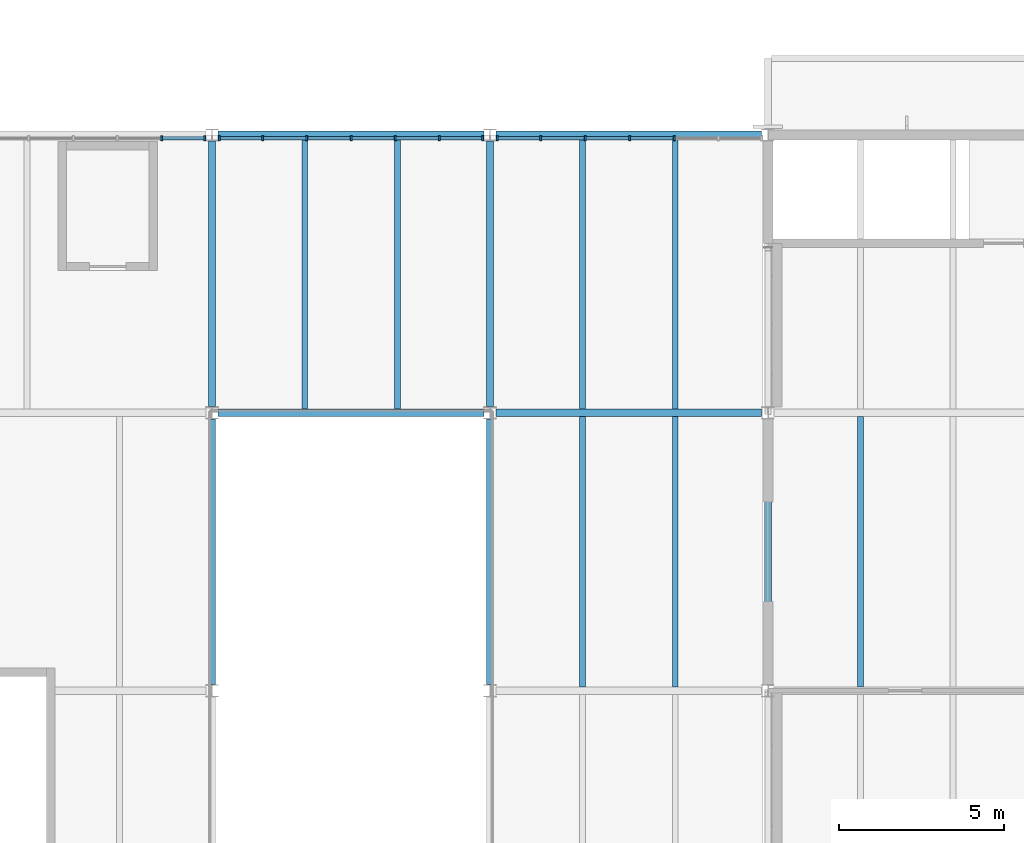
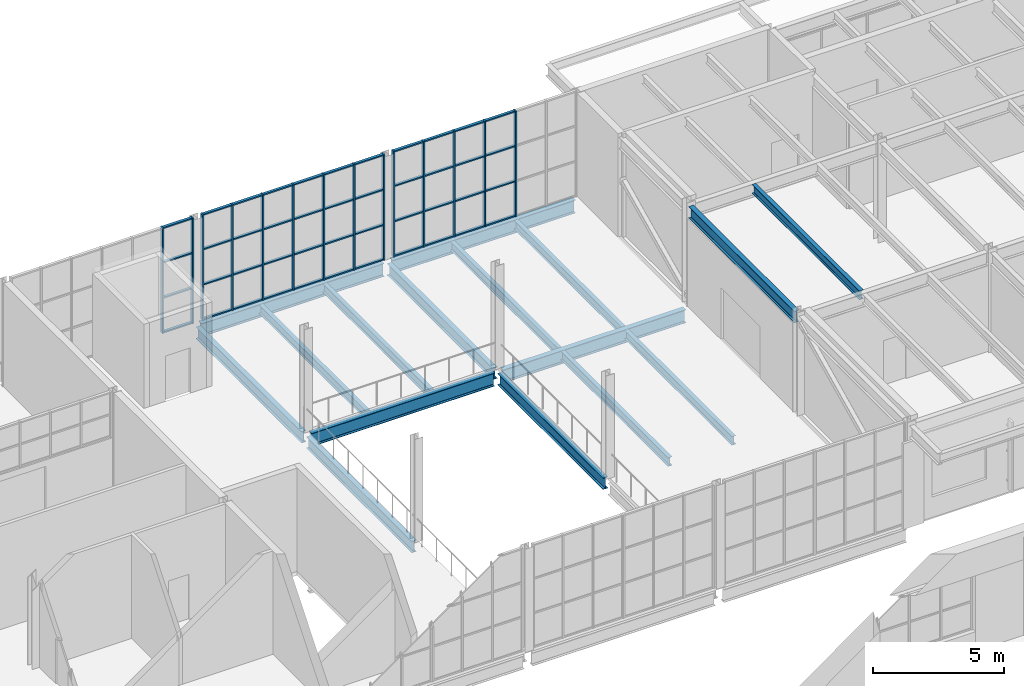
# One storey, part 43 of 116: 58 members, 16 beams, 3 elements without a shape of their own.
"""IFC4 building model written with IfcOpenShell, lengths in metres."""

from ifc_helpers import new_model, si_unit, direction, frame, origin, origin_2d, place, context, subcontext, project, spatial, rectangle, i_section, extrude, material, material_profile, profile_set, type_object, element, aggregate, save


model = new_model("IFC4")

# Units and contexts
model_context = context("Model", 3, precision=1e-05, world=origin(), true_north=direction((0.0, 1.0)))
body_context = subcontext(model_context, "Body", "Model", "MODEL_VIEW")
ifc_project = project(units=[si_unit("LENGTHUNIT", "METRE"), si_unit("AREAUNIT", "SQUARE_METRE"), si_unit("VOLUMEUNIT", "CUBIC_METRE"), si_unit("PLANEANGLEUNIT", "RADIAN"), si_unit("MASSUNIT", "GRAM", prefix="KILO")], contexts=[model_context])

# Site, building, storey
site_placement = place(None, origin())
site = spatial("IfcSite", under=ifc_project, at=site_placement, CompositionType="ELEMENT")
building_placement = place(site_placement, origin())
building = spatial("IfcBuilding", under=site, at=building_placement, Name="Ljudholm Concert House", CompositionType="ELEMENT")
storey_placement = place(building_placement, frame((0.0, 0.0, 10.199951171875)))
storey = spatial("IfcBuildingStorey", under=building, at=storey_placement, Name="L02", CompositionType="ELEMENT", Elevation=10.199951171875)

# Curtain wall, members
ifc_material_1 = material(Name="Aluminium curtain wall with impact-rated laminated glass", Category="aluminium")
curtain_wall_type = type_object("IfcCurtainWallType", Name="CURTAIN WALL 1400", PredefinedType="NOTDEFINED", material=ifc_material_1)
curtain_wall_1_placement = place(storey_placement, origin())
curtain_wall_1 = element("IfcCurtainWall", 1, at=curtain_wall_1_placement, inside=storey, type_object=curtain_wall_type, Name="North curtain wall", PredefinedType="NOTDEFINED")
ifc_material_2 = material(Name="Aluminium extrusion", Category="aluminium")
ifc_material_profile_1 = material_profile(ifc_material_2, rectangle(XDim=0.159912109375, YDim=0.06005859375, at=origin_2d()), Name="MULLION 60x160")
ifc_profile_set_1 = profile_set([ifc_material_profile_1], Name="Aluminium extrusion")
member_type_1 = type_object("IfcMemberType", Name="MULLION 60x160", PredefinedType="MULLION", material=ifc_profile_set_1)
member_1_placement = place(storey_placement, frame((36.0732421875, 129.89990234375, 0.0), z_axis=(0.0, 0.0, 1.0), x_axis=(0.0, 1.0, 0.0)))
member_1 = element("IfcMember", 2, at=member_1_placement, type_object=member_type_1, Name="Mullion", PredefinedType="MULLION", context=body_context, shape_type="SweptSolid", body=[
    extrude(rectangle(XDim=0.159912109375, YDim=0.06005859375, at=origin_2d()), origin(), (0.0, 0.0, 1.0), 4.9111328125),
])
member_2_placement = place(storey_placement, frame((37.3798828125, 129.89990234375, 0.0), z_axis=(0.0, 0.0, 1.0), x_axis=(0.0, 1.0, 0.0)))
member_2 = element("IfcMember", 3, at=member_2_placement, type_object=member_type_1, Name="Mullion", PredefinedType="MULLION", context=body_context, shape_type="SweptSolid", body=[
    extrude(rectangle(XDim=0.159912109375, YDim=0.06005859375, at=origin_2d()), origin(), (0.0, 0.0, 1.0), 4.9111328125),
])

curtain_wall_2_placement = place(storey_placement, origin())
curtain_wall_2 = element("IfcCurtainWall", 4, at=curtain_wall_2_placement, inside=storey, type_object=curtain_wall_type, Name="North curtain wall", PredefinedType="NOTDEFINED")
member_3_placement = place(storey_placement, frame((37.820068359375, 129.89990234375, 0.0), z_axis=(0.0, 0.0, 1.0), x_axis=(0.0, 1.0, 0.0)))
member_3 = element("IfcMember", 5, at=member_3_placement, type_object=member_type_1, Name="Mullion", PredefinedType="MULLION", context=body_context, shape_type="SweptSolid", body=[
    extrude(rectangle(XDim=0.159912109375, YDim=0.06005859375, at=origin_2d()), origin(), (0.0, 0.0, 1.0), 4.9111328125),
])
member_4_placement = place(storey_placement, frame((39.126708984375, 129.89990234375, 0.0), z_axis=(0.0, 0.0, 1.0), x_axis=(0.0, 1.0, 0.0)))
member_4 = element("IfcMember", 6, at=member_4_placement, type_object=member_type_1, Name="Mullion", PredefinedType="MULLION", context=body_context, shape_type="SweptSolid", body=[
    extrude(rectangle(XDim=0.159912109375, YDim=0.06005859375, at=origin_2d()), origin(), (0.0, 0.0, 1.0), 4.9111328125),
])
member_5_placement = place(storey_placement, frame((40.46337890625, 129.89990234375, 0.0), z_axis=(0.0, 0.0, 1.0), x_axis=(0.0, 1.0, 0.0)))
member_5 = element("IfcMember", 7, at=member_5_placement, type_object=member_type_1, Name="Mullion", PredefinedType="MULLION", context=body_context, shape_type="SweptSolid", body=[
    extrude(rectangle(XDim=0.159912109375, YDim=0.06005859375, at=origin_2d()), origin(), (0.0, 0.0, 1.0), 4.9111328125),
])
member_6_placement = place(storey_placement, frame((41.800048828125, 129.89990234375, 0.0), z_axis=(0.0, 0.0, 1.0), x_axis=(0.0, 1.0, 0.0)))
member_6 = element("IfcMember", 8, at=member_6_placement, type_object=member_type_1, Name="Mullion", PredefinedType="MULLION", context=body_context, shape_type="SweptSolid", body=[
    extrude(rectangle(XDim=0.159912109375, YDim=0.06005859375, at=origin_2d()), origin(), (0.0, 0.0, 1.0), 4.9111328125),
])
member_7_placement = place(storey_placement, frame((43.13671875, 129.89990234375, 0.0), z_axis=(0.0, 0.0, 1.0), x_axis=(0.0, 1.0, 0.0)))
member_7 = element("IfcMember", 9, at=member_7_placement, type_object=member_type_1, Name="Mullion", PredefinedType="MULLION", context=body_context, shape_type="SweptSolid", body=[
    extrude(rectangle(XDim=0.159912109375, YDim=0.06005859375, at=origin_2d()), origin(), (0.0, 0.0, 1.0), 4.9111328125),
])
member_8_placement = place(storey_placement, frame((44.473388671875, 129.89990234375, 0.0), z_axis=(0.0, 0.0, 1.0), x_axis=(0.0, 1.0, 0.0)))
member_8 = element("IfcMember", 10, at=member_8_placement, type_object=member_type_1, Name="Mullion", PredefinedType="MULLION", context=body_context, shape_type="SweptSolid", body=[
    extrude(rectangle(XDim=0.159912109375, YDim=0.06005859375, at=origin_2d()), origin(), (0.0, 0.0, 1.0), 4.9111328125),
])
member_9_placement = place(storey_placement, frame((45.780029296875, 129.89990234375, 0.0), z_axis=(0.0, 0.0, 1.0), x_axis=(0.0, 1.0, 0.0)))
member_9 = element("IfcMember", 11, at=member_9_placement, type_object=member_type_1, Name="Mullion", PredefinedType="MULLION", context=body_context, shape_type="SweptSolid", body=[
    extrude(rectangle(XDim=0.159912109375, YDim=0.06005859375, at=origin_2d()), origin(), (0.0, 0.0, 1.0), 4.9111328125),
])

curtain_wall_3_placement = place(storey_placement, origin())
curtain_wall_3 = element("IfcCurtainWall", 12, at=curtain_wall_3_placement, inside=storey, type_object=curtain_wall_type, Name="North curtain wall", PredefinedType="NOTDEFINED")
member_10_placement = place(storey_placement, frame((46.219970703125, 129.89990234375, 0.0), z_axis=(0.0, 0.0, 1.0), x_axis=(0.0, 1.0, 0.0)))
member_10 = element("IfcMember", 13, at=member_10_placement, type_object=member_type_1, Name="Mullion", PredefinedType="MULLION", context=body_context, shape_type="SweptSolid", body=[
    extrude(rectangle(XDim=0.159912109375, YDim=0.06005859375, at=origin_2d()), origin(), (0.0, 0.0, 1.0), 4.9111328125),
])
member_11_placement = place(storey_placement, frame((47.533447265625, 129.89990234375, 0.0), z_axis=(0.0, 0.0, 1.0), x_axis=(0.0, 1.0, 0.0)))
member_11 = element("IfcMember", 14, at=member_11_placement, type_object=member_type_1, Name="Mullion", PredefinedType="MULLION", context=body_context, shape_type="SweptSolid", body=[
    extrude(rectangle(XDim=0.159912109375, YDim=0.06005859375, at=origin_2d()), origin(), (0.0, 0.0, 1.0), 4.9111328125),
])
member_12_placement = place(storey_placement, frame((48.876708984375, 129.89990234375, 0.0), z_axis=(0.0, 0.0, 1.0), x_axis=(0.0, 1.0, 0.0)))
member_12 = element("IfcMember", 15, at=member_12_placement, type_object=member_type_1, Name="Mullion", PredefinedType="MULLION", context=body_context, shape_type="SweptSolid", body=[
    extrude(rectangle(XDim=0.159912109375, YDim=0.06005859375, at=origin_2d()), origin(), (0.0, 0.0, 1.0), 4.9111328125),
])
member_13_placement = place(storey_placement, frame((50.219970703125, 129.89990234375, 0.0), z_axis=(0.0, 0.0, 1.0), x_axis=(0.0, 1.0, 0.0)))
member_13 = element("IfcMember", 16, at=member_13_placement, type_object=member_type_1, Name="Mullion", PredefinedType="MULLION", context=body_context, shape_type="SweptSolid", body=[
    extrude(rectangle(XDim=0.159912109375, YDim=0.06005859375, at=origin_2d()), origin(), (0.0, 0.0, 1.0), 4.9111328125),
])
member_14_placement = place(storey_placement, frame((51.563232421875, 129.89990234375, 0.0), z_axis=(0.0, 0.0, 1.0), x_axis=(0.0, 1.0, 0.0)))
member_14 = element("IfcMember", 17, at=member_14_placement, type_object=member_type_1, Name="Mullion", PredefinedType="MULLION", context=body_context, shape_type="SweptSolid", body=[
    extrude(rectangle(XDim=0.159912109375, YDim=0.06005859375, at=origin_2d()), origin(), (0.0, 0.0, 1.0), 4.9111328125),
])

# Beams
ifc_material_3 = material(Name="Steel ASTM A992", Category="steel")
ifc_material_profile_2 = material_profile(ifc_material_3, i_section(OverallWidth=0.177734375, OverallDepth=0.406494140625, WebThickness=0.0078125, FlangeThickness=0.012939453125, FilletRadius=0.01025390625, at=origin_2d()), Name="W16X40")
ifc_profile_set_2 = profile_set([ifc_material_profile_2], Name="Steel ASTM A992")
beam_type_1 = type_object("IfcBeamType", Name="STEEL BEAM W16X40", PredefinedType="BEAM", material=ifc_profile_set_2)
for number, where, z_axis, x_axis, name in (
    (18, (57.199951171875, 113.314453125, 4.416748046875), (0.0, 1.0, 0.0), (-1.0, 0.0, 0.0), "Beam STUDIO-ROOF-sb-57.2-113.2"),
    (19, (48.800048828125, 113.314453125, -0.383056640625), (0.0, 1.0, 0.0), (-1.0, 0.0, 0.0), "Secondary beam"),
    (20, (48.800048828125, 121.714599609375, -0.383056640625), (0.0, 1.0, 0.0), (-1.0, 0.0, 0.0), "Secondary beam"),
    (21, (51.60009765625, 113.314453125, -0.383056640625), (0.0, 1.0, 0.0), (-1.0, 0.0, 0.0), "Secondary beam"),
    (22, (51.60009765625, 121.714599609375, -0.383056640625), (0.0, 1.0, 0.0), (-1.0, 0.0, 0.0), "Secondary beam"),
    (23, (40.39990234375, 121.714599609375, -0.383056640625), (0.0, 1.0, 0.0), (-1.0, 0.0, 0.0), "Secondary beam"),
    (24, (43.199951171875, 121.714599609375, -0.383056640625), (0.0, 1.0, 0.0), (-1.0, 0.0, 0.0), "Secondary beam"),
):
    element("IfcBeam", number, at=place(storey_placement, frame(where, z_axis=z_axis, x_axis=x_axis)), inside=storey, type_object=beam_type_1, Name=name, PredefinedType="BEAM", context=body_context, shape_type="SweptSolid", body=[
        extrude(i_section(OverallWidth=0.177734375, OverallDepth=0.406494140625, WebThickness=0.0078125, FlangeThickness=0.012939453125, FilletRadius=0.01025390625, at=origin_2d()), origin(), (0.0, 0.0, 1.0), 8.1708984375),
    ])
ifc_material_4 = material(Name="Steel ASTM A992", Category="steel")
ifc_material_profile_3 = material_profile(ifc_material_4, i_section(OverallWidth=0.209228515625, OverallDepth=0.533447265625, WebThickness=0.01025390625, FlangeThickness=0.015625, FilletRadius=0.012939453125, at=origin_2d()), Name="W21X62")
ifc_profile_set_3 = profile_set([ifc_material_profile_3], Name="Steel ASTM A992")
beam_type_2 = type_object("IfcBeamType", Name="STEEL BEAM W21X62", PredefinedType="BEAM", material=ifc_profile_set_3)
beam_placement = place(storey_placement, frame((54.39990234375, 113.377685546875, 4.353271484375), z_axis=(0.0, 1.0, 0.0), x_axis=(-1.0, 0.0, 0.0)))
element("IfcBeam", 25, at=beam_placement, inside=storey, type_object=beam_type_2, Name="Beam STUDIO-ROOF-gy-54.4-113.2", PredefinedType="BEAM", context=body_context, shape_type="SweptSolid", body=[
    extrude(i_section(OverallWidth=0.209228515625, OverallDepth=0.533447265625, WebThickness=0.01025390625, FlangeThickness=0.015625, FilletRadius=0.012939453125, at=origin_2d()), origin(), (0.0, 0.0, 1.0), 8.04443359375),
])
for number, where, z_axis, x_axis, name in (
    (26, (37.60009765625, 113.38671875, -0.446533203125), (0.0, 1.0, 0.0), (-1.0, 0.0, 0.0), "Floor edge beam"),
    (27, (37.60009765625, 121.78662109375, -0.446533203125), (0.0, 1.0, 0.0), (-1.0, 0.0, 0.0), "Floor edge beam"),
    (28, (46.0, 113.38671875, -0.446533203125), (0.0, 1.0, 0.0), (-1.0, 0.0, 0.0), "Floor edge beam"),
    (29, (46.0, 121.78662109375, -0.446533203125), (0.0, 1.0, 0.0), (-1.0, 0.0, 0.0), "Floor edge beam"),
):
    element("IfcBeam", number, at=place(storey_placement, frame(where, z_axis=z_axis, x_axis=x_axis)), inside=storey, type_object=beam_type_2, Name=name, PredefinedType="BEAM", context=body_context, shape_type="SweptSolid", body=[
        extrude(i_section(OverallWidth=0.209228515625, OverallDepth=0.533447265625, WebThickness=0.01025390625, FlangeThickness=0.015625, FilletRadius=0.012939453125, at=origin_2d()), origin(), (0.0, 0.0, 1.0), 8.026611328125),
    ])
ifc_material_5 = material(Name="Steel ASTM A992", Category="steel")
ifc_material_profile_4 = material_profile(ifc_material_5, i_section(OverallWidth=0.22900390625, OverallDepth=0.612060546875, WebThickness=0.011962890625, FlangeThickness=0.01953125, FilletRadius=0.0126953125, at=origin_2d()), Name="W24X84")
ifc_profile_set_4 = profile_set([ifc_material_profile_4], Name="Steel ASTM A992")
beam_type_3 = type_object("IfcBeamType", Name="STEEL BEAM W24X84", PredefinedType="BEAM", material=ifc_profile_set_4)
for number, where, z_axis, x_axis, name in (
    (30, (37.78662109375, 121.60009765625, -0.486083984375), (1.0, 0.0, 0.0), (0.0, 1.0, 0.0), "Floor girder"),
    (31, (46.186767578125, 121.60009765625, -0.486083984375), (1.0, 0.0, 0.0), (0.0, 1.0, 0.0), "Floor girder"),
    (32, (37.78662109375, 130.0, -0.486083984375), (1.0, 0.0, 0.0), (0.0, 1.0, 0.0), "Floor girder"),
    (33, (46.186767578125, 130.0, -0.486083984375), (1.0, 0.0, 0.0), (0.0, 1.0, 0.0), "Floor girder"),
):
    element("IfcBeam", number, at=place(storey_placement, frame(where, z_axis=z_axis, x_axis=x_axis)), inside=storey, type_object=beam_type_3, Name=name, PredefinedType="BEAM", context=body_context, shape_type="SweptSolid", body=[
        extrude(i_section(OverallWidth=0.22900390625, OverallDepth=0.612060546875, WebThickness=0.011962890625, FlangeThickness=0.01953125, FilletRadius=0.0126953125, at=origin_2d()), origin(), (0.0, 0.0, 1.0), 8.026611328125),
    ])

# Member
ifc_material_6 = material(Name="Aluminium extrusion", Category="aluminium")
ifc_material_profile_5 = material_profile(ifc_material_6, rectangle(XDim=0.1201171875, YDim=0.06005859375, at=origin_2d()), Name="TRANSOM 60x120")
ifc_profile_set_5 = profile_set([ifc_material_profile_5], Name="Aluminium extrusion")
member_type_2 = type_object("IfcMemberType", Name="TRANSOM 60x120", PredefinedType="USERDEFINED", material=ifc_profile_set_5)
member_15_placement = place(storey_placement, frame((36.103271484375, 129.89990234375, 0.030029296875), z_axis=(1.0, 0.0, 0.0), x_axis=(0.0, 1.0, 0.0)))
member_15 = element("IfcMember", 34, at=member_15_placement, type_object=member_type_2, Name="Transom", ObjectType="TRANSOM", PredefinedType="USERDEFINED", context=body_context, shape_type="SweptSolid", body=[
    extrude(rectangle(XDim=0.1201171875, YDim=0.06005859375, at=origin_2d()), origin(), (0.0, 0.0, 1.0), 1.246826171875),
])

member_16_placement = place(storey_placement, frame((36.103271484375, 129.89990234375, 1.636962890625), z_axis=(1.0, 0.0, 0.0), x_axis=(0.0, 1.0, 0.0)))
member_16 = element("IfcMember", 35, at=member_16_placement, type_object=member_type_2, Name="Transom", ObjectType="TRANSOM", PredefinedType="USERDEFINED", context=body_context, shape_type="SweptSolid", body=[
    extrude(rectangle(XDim=0.1201171875, YDim=0.06005859375, at=origin_2d()), origin(), (0.0, 0.0, 1.0), 1.246826171875),
])

member_17_placement = place(storey_placement, frame((36.103271484375, 129.89990234375, 3.274169921875), z_axis=(1.0, 0.0, 0.0), x_axis=(0.0, 1.0, 0.0)))
member_17 = element("IfcMember", 36, at=member_17_placement, type_object=member_type_2, Name="Transom", ObjectType="TRANSOM", PredefinedType="USERDEFINED", context=body_context, shape_type="SweptSolid", body=[
    extrude(rectangle(XDim=0.1201171875, YDim=0.06005859375, at=origin_2d()), origin(), (0.0, 0.0, 1.0), 1.246826171875),
])

member_18_placement = place(storey_placement, frame((36.103271484375, 129.89990234375, 4.881103515625), z_axis=(1.0, 0.0, 0.0), x_axis=(0.0, 1.0, 0.0)))
member_18 = element("IfcMember", 37, at=member_18_placement, type_object=member_type_2, Name="Transom", ObjectType="TRANSOM", PredefinedType="USERDEFINED", context=body_context, shape_type="SweptSolid", body=[
    extrude(rectangle(XDim=0.1201171875, YDim=0.06005859375, at=origin_2d()), origin(), (0.0, 0.0, 1.0), 1.246826171875),
])

aggregate(curtain_wall_1, [member_1, member_2, member_15, member_16, member_17, member_18])

member_19_placement = place(storey_placement, frame((37.85009765625, 129.89990234375, 0.030029296875), z_axis=(1.0, 0.0, 0.0), x_axis=(0.0, 1.0, 0.0)))
member_19 = element("IfcMember", 38, at=member_19_placement, type_object=member_type_2, Name="Transom", ObjectType="TRANSOM", PredefinedType="USERDEFINED", context=body_context, shape_type="SweptSolid", body=[
    extrude(rectangle(XDim=0.1201171875, YDim=0.06005859375, at=origin_2d()), origin(), (0.0, 0.0, 1.0), 1.24658203125),
])

member_20_placement = place(storey_placement, frame((37.85009765625, 129.89990234375, 1.636962890625), z_axis=(1.0, 0.0, 0.0), x_axis=(0.0, 1.0, 0.0)))
member_20 = element("IfcMember", 39, at=member_20_placement, type_object=member_type_2, Name="Transom", ObjectType="TRANSOM", PredefinedType="USERDEFINED", context=body_context, shape_type="SweptSolid", body=[
    extrude(rectangle(XDim=0.1201171875, YDim=0.06005859375, at=origin_2d()), origin(), (0.0, 0.0, 1.0), 1.24658203125),
])

member_21_placement = place(storey_placement, frame((37.85009765625, 129.89990234375, 3.274169921875), z_axis=(1.0, 0.0, 0.0), x_axis=(0.0, 1.0, 0.0)))
member_21 = element("IfcMember", 40, at=member_21_placement, type_object=member_type_2, Name="Transom", ObjectType="TRANSOM", PredefinedType="USERDEFINED", context=body_context, shape_type="SweptSolid", body=[
    extrude(rectangle(XDim=0.1201171875, YDim=0.06005859375, at=origin_2d()), origin(), (0.0, 0.0, 1.0), 1.24658203125),
])

member_22_placement = place(storey_placement, frame((37.85009765625, 129.89990234375, 4.881103515625), z_axis=(1.0, 0.0, 0.0), x_axis=(0.0, 1.0, 0.0)))
member_22 = element("IfcMember", 41, at=member_22_placement, type_object=member_type_2, Name="Transom", ObjectType="TRANSOM", PredefinedType="USERDEFINED", context=body_context, shape_type="SweptSolid", body=[
    extrude(rectangle(XDim=0.1201171875, YDim=0.06005859375, at=origin_2d()), origin(), (0.0, 0.0, 1.0), 1.24658203125),
])

member_23_placement = place(storey_placement, frame((39.15673828125, 129.89990234375, 0.030029296875), z_axis=(1.0, 0.0, 0.0), x_axis=(0.0, 1.0, 0.0)))
member_23 = element("IfcMember", 42, at=member_23_placement, type_object=member_type_2, Name="Transom", ObjectType="TRANSOM", PredefinedType="USERDEFINED", context=body_context, shape_type="SweptSolid", body=[
    extrude(rectangle(XDim=0.1201171875, YDim=0.06005859375, at=origin_2d()), origin(), (0.0, 0.0, 1.0), 1.276611328125),
])

member_24_placement = place(storey_placement, frame((39.15673828125, 129.89990234375, 1.636962890625), z_axis=(1.0, 0.0, 0.0), x_axis=(0.0, 1.0, 0.0)))
member_24 = element("IfcMember", 43, at=member_24_placement, type_object=member_type_2, Name="Transom", ObjectType="TRANSOM", PredefinedType="USERDEFINED", context=body_context, shape_type="SweptSolid", body=[
    extrude(rectangle(XDim=0.1201171875, YDim=0.06005859375, at=origin_2d()), origin(), (0.0, 0.0, 1.0), 1.276611328125),
])

member_25_placement = place(storey_placement, frame((39.15673828125, 129.89990234375, 3.274169921875), z_axis=(1.0, 0.0, 0.0), x_axis=(0.0, 1.0, 0.0)))
member_25 = element("IfcMember", 44, at=member_25_placement, type_object=member_type_2, Name="Transom", ObjectType="TRANSOM", PredefinedType="USERDEFINED", context=body_context, shape_type="SweptSolid", body=[
    extrude(rectangle(XDim=0.1201171875, YDim=0.06005859375, at=origin_2d()), origin(), (0.0, 0.0, 1.0), 1.276611328125),
])

member_26_placement = place(storey_placement, frame((39.15673828125, 129.89990234375, 4.881103515625), z_axis=(1.0, 0.0, 0.0), x_axis=(0.0, 1.0, 0.0)))
member_26 = element("IfcMember", 45, at=member_26_placement, type_object=member_type_2, Name="Transom", ObjectType="TRANSOM", PredefinedType="USERDEFINED", context=body_context, shape_type="SweptSolid", body=[
    extrude(rectangle(XDim=0.1201171875, YDim=0.06005859375, at=origin_2d()), origin(), (0.0, 0.0, 1.0), 1.276611328125),
])

member_27_placement = place(storey_placement, frame((40.493408203125, 129.89990234375, 0.030029296875), z_axis=(1.0, 0.0, 0.0), x_axis=(0.0, 1.0, 0.0)))
member_27 = element("IfcMember", 46, at=member_27_placement, type_object=member_type_2, Name="Transom", ObjectType="TRANSOM", PredefinedType="USERDEFINED", context=body_context, shape_type="SweptSolid", body=[
    extrude(rectangle(XDim=0.1201171875, YDim=0.06005859375, at=origin_2d()), origin(), (0.0, 0.0, 1.0), 1.276611328125),
])

member_28_placement = place(storey_placement, frame((40.493408203125, 129.89990234375, 1.636962890625), z_axis=(1.0, 0.0, 0.0), x_axis=(0.0, 1.0, 0.0)))
member_28 = element("IfcMember", 47, at=member_28_placement, type_object=member_type_2, Name="Transom", ObjectType="TRANSOM", PredefinedType="USERDEFINED", context=body_context, shape_type="SweptSolid", body=[
    extrude(rectangle(XDim=0.1201171875, YDim=0.06005859375, at=origin_2d()), origin(), (0.0, 0.0, 1.0), 1.276611328125),
])

member_29_placement = place(storey_placement, frame((40.493408203125, 129.89990234375, 3.274169921875), z_axis=(1.0, 0.0, 0.0), x_axis=(0.0, 1.0, 0.0)))
member_29 = element("IfcMember", 48, at=member_29_placement, type_object=member_type_2, Name="Transom", ObjectType="TRANSOM", PredefinedType="USERDEFINED", context=body_context, shape_type="SweptSolid", body=[
    extrude(rectangle(XDim=0.1201171875, YDim=0.06005859375, at=origin_2d()), origin(), (0.0, 0.0, 1.0), 1.276611328125),
])

member_30_placement = place(storey_placement, frame((40.493408203125, 129.89990234375, 4.881103515625), z_axis=(1.0, 0.0, 0.0), x_axis=(0.0, 1.0, 0.0)))
member_30 = element("IfcMember", 49, at=member_30_placement, type_object=member_type_2, Name="Transom", ObjectType="TRANSOM", PredefinedType="USERDEFINED", context=body_context, shape_type="SweptSolid", body=[
    extrude(rectangle(XDim=0.1201171875, YDim=0.06005859375, at=origin_2d()), origin(), (0.0, 0.0, 1.0), 1.276611328125),
])

member_31_placement = place(storey_placement, frame((41.830078125, 129.89990234375, 0.030029296875), z_axis=(1.0, 0.0, 0.0), x_axis=(0.0, 1.0, 0.0)))
member_31 = element("IfcMember", 50, at=member_31_placement, type_object=member_type_2, Name="Transom", ObjectType="TRANSOM", PredefinedType="USERDEFINED", context=body_context, shape_type="SweptSolid", body=[
    extrude(rectangle(XDim=0.1201171875, YDim=0.06005859375, at=origin_2d()), origin(), (0.0, 0.0, 1.0), 1.276611328125),
])

member_32_placement = place(storey_placement, frame((41.830078125, 129.89990234375, 1.636962890625), z_axis=(1.0, 0.0, 0.0), x_axis=(0.0, 1.0, 0.0)))
member_32 = element("IfcMember", 51, at=member_32_placement, type_object=member_type_2, Name="Transom", ObjectType="TRANSOM", PredefinedType="USERDEFINED", context=body_context, shape_type="SweptSolid", body=[
    extrude(rectangle(XDim=0.1201171875, YDim=0.06005859375, at=origin_2d()), origin(), (0.0, 0.0, 1.0), 1.276611328125),
])

member_33_placement = place(storey_placement, frame((41.830078125, 129.89990234375, 3.274169921875), z_axis=(1.0, 0.0, 0.0), x_axis=(0.0, 1.0, 0.0)))
member_33 = element("IfcMember", 52, at=member_33_placement, type_object=member_type_2, Name="Transom", ObjectType="TRANSOM", PredefinedType="USERDEFINED", context=body_context, shape_type="SweptSolid", body=[
    extrude(rectangle(XDim=0.1201171875, YDim=0.06005859375, at=origin_2d()), origin(), (0.0, 0.0, 1.0), 1.276611328125),
])

member_34_placement = place(storey_placement, frame((41.830078125, 129.89990234375, 4.881103515625), z_axis=(1.0, 0.0, 0.0), x_axis=(0.0, 1.0, 0.0)))
member_34 = element("IfcMember", 53, at=member_34_placement, type_object=member_type_2, Name="Transom", ObjectType="TRANSOM", PredefinedType="USERDEFINED", context=body_context, shape_type="SweptSolid", body=[
    extrude(rectangle(XDim=0.1201171875, YDim=0.06005859375, at=origin_2d()), origin(), (0.0, 0.0, 1.0), 1.276611328125),
])

member_35_placement = place(storey_placement, frame((43.166748046875, 129.89990234375, 0.030029296875), z_axis=(1.0, 0.0, 0.0), x_axis=(0.0, 1.0, 0.0)))
member_35 = element("IfcMember", 54, at=member_35_placement, type_object=member_type_2, Name="Transom", ObjectType="TRANSOM", PredefinedType="USERDEFINED", context=body_context, shape_type="SweptSolid", body=[
    extrude(rectangle(XDim=0.1201171875, YDim=0.06005859375, at=origin_2d()), origin(), (0.0, 0.0, 1.0), 1.276611328125),
])

member_36_placement = place(storey_placement, frame((43.166748046875, 129.89990234375, 1.636962890625), z_axis=(1.0, 0.0, 0.0), x_axis=(0.0, 1.0, 0.0)))
member_36 = element("IfcMember", 55, at=member_36_placement, type_object=member_type_2, Name="Transom", ObjectType="TRANSOM", PredefinedType="USERDEFINED", context=body_context, shape_type="SweptSolid", body=[
    extrude(rectangle(XDim=0.1201171875, YDim=0.06005859375, at=origin_2d()), origin(), (0.0, 0.0, 1.0), 1.276611328125),
])

member_37_placement = place(storey_placement, frame((43.166748046875, 129.89990234375, 3.274169921875), z_axis=(1.0, 0.0, 0.0), x_axis=(0.0, 1.0, 0.0)))
member_37 = element("IfcMember", 56, at=member_37_placement, type_object=member_type_2, Name="Transom", ObjectType="TRANSOM", PredefinedType="USERDEFINED", context=body_context, shape_type="SweptSolid", body=[
    extrude(rectangle(XDim=0.1201171875, YDim=0.06005859375, at=origin_2d()), origin(), (0.0, 0.0, 1.0), 1.276611328125),
])

member_38_placement = place(storey_placement, frame((43.166748046875, 129.89990234375, 4.881103515625), z_axis=(1.0, 0.0, 0.0), x_axis=(0.0, 1.0, 0.0)))
member_38 = element("IfcMember", 57, at=member_38_placement, type_object=member_type_2, Name="Transom", ObjectType="TRANSOM", PredefinedType="USERDEFINED", context=body_context, shape_type="SweptSolid", body=[
    extrude(rectangle(XDim=0.1201171875, YDim=0.06005859375, at=origin_2d()), origin(), (0.0, 0.0, 1.0), 1.276611328125),
])

member_39_placement = place(storey_placement, frame((44.50341796875, 129.89990234375, 0.030029296875), z_axis=(1.0, 0.0, 0.0), x_axis=(0.0, 1.0, 0.0)))
member_39 = element("IfcMember", 58, at=member_39_placement, type_object=member_type_2, Name="Transom", ObjectType="TRANSOM", PredefinedType="USERDEFINED", context=body_context, shape_type="SweptSolid", body=[
    extrude(rectangle(XDim=0.1201171875, YDim=0.06005859375, at=origin_2d()), origin(), (0.0, 0.0, 1.0), 1.24658203125),
])

member_40_placement = place(storey_placement, frame((44.50341796875, 129.89990234375, 1.636962890625), z_axis=(1.0, 0.0, 0.0), x_axis=(0.0, 1.0, 0.0)))
member_40 = element("IfcMember", 59, at=member_40_placement, type_object=member_type_2, Name="Transom", ObjectType="TRANSOM", PredefinedType="USERDEFINED", context=body_context, shape_type="SweptSolid", body=[
    extrude(rectangle(XDim=0.1201171875, YDim=0.06005859375, at=origin_2d()), origin(), (0.0, 0.0, 1.0), 1.24658203125),
])

member_41_placement = place(storey_placement, frame((44.50341796875, 129.89990234375, 3.274169921875), z_axis=(1.0, 0.0, 0.0), x_axis=(0.0, 1.0, 0.0)))
member_41 = element("IfcMember", 60, at=member_41_placement, type_object=member_type_2, Name="Transom", ObjectType="TRANSOM", PredefinedType="USERDEFINED", context=body_context, shape_type="SweptSolid", body=[
    extrude(rectangle(XDim=0.1201171875, YDim=0.06005859375, at=origin_2d()), origin(), (0.0, 0.0, 1.0), 1.24658203125),
])

member_42_placement = place(storey_placement, frame((44.50341796875, 129.89990234375, 4.881103515625), z_axis=(1.0, 0.0, 0.0), x_axis=(0.0, 1.0, 0.0)))
member_42 = element("IfcMember", 61, at=member_42_placement, type_object=member_type_2, Name="Transom", ObjectType="TRANSOM", PredefinedType="USERDEFINED", context=body_context, shape_type="SweptSolid", body=[
    extrude(rectangle(XDim=0.1201171875, YDim=0.06005859375, at=origin_2d()), origin(), (0.0, 0.0, 1.0), 1.24658203125),
])

aggregate(curtain_wall_2, [member_3, member_4, member_5, member_6, member_7, member_8, member_9, member_19, member_20, member_21, member_22, member_23, member_24, member_25, member_26, member_27, member_28, member_29, member_30, member_31, member_32, member_33, member_34, member_35, member_36, member_37, member_38, member_39, member_40, member_41, member_42])

member_43_placement = place(storey_placement, frame((46.25, 129.89990234375, 0.030029296875), z_axis=(1.0, 0.0, 0.0), x_axis=(0.0, 1.0, 0.0)))
member_43 = element("IfcMember", 62, at=member_43_placement, type_object=member_type_2, Name="Transom", ObjectType="TRANSOM", PredefinedType="USERDEFINED", context=body_context, shape_type="SweptSolid", body=[
    extrude(rectangle(XDim=0.1201171875, YDim=0.06005859375, at=origin_2d()), origin(), (0.0, 0.0, 1.0), 1.25341796875),
])

member_44_placement = place(storey_placement, frame((46.25, 129.89990234375, 1.636962890625), z_axis=(1.0, 0.0, 0.0), x_axis=(0.0, 1.0, 0.0)))
member_44 = element("IfcMember", 63, at=member_44_placement, type_object=member_type_2, Name="Transom", ObjectType="TRANSOM", PredefinedType="USERDEFINED", context=body_context, shape_type="SweptSolid", body=[
    extrude(rectangle(XDim=0.1201171875, YDim=0.06005859375, at=origin_2d()), origin(), (0.0, 0.0, 1.0), 1.25341796875),
])

member_45_placement = place(storey_placement, frame((46.25, 129.89990234375, 3.274169921875), z_axis=(1.0, 0.0, 0.0), x_axis=(0.0, 1.0, 0.0)))
member_45 = element("IfcMember", 64, at=member_45_placement, type_object=member_type_2, Name="Transom", ObjectType="TRANSOM", PredefinedType="USERDEFINED", context=body_context, shape_type="SweptSolid", body=[
    extrude(rectangle(XDim=0.1201171875, YDim=0.06005859375, at=origin_2d()), origin(), (0.0, 0.0, 1.0), 1.25341796875),
])

member_46_placement = place(storey_placement, frame((46.25, 129.89990234375, 4.881103515625), z_axis=(1.0, 0.0, 0.0), x_axis=(0.0, 1.0, 0.0)))
member_46 = element("IfcMember", 65, at=member_46_placement, type_object=member_type_2, Name="Transom", ObjectType="TRANSOM", PredefinedType="USERDEFINED", context=body_context, shape_type="SweptSolid", body=[
    extrude(rectangle(XDim=0.1201171875, YDim=0.06005859375, at=origin_2d()), origin(), (0.0, 0.0, 1.0), 1.25341796875),
])

member_47_placement = place(storey_placement, frame((47.563232421875, 129.89990234375, 0.030029296875), z_axis=(1.0, 0.0, 0.0), x_axis=(0.0, 1.0, 0.0)))
member_47 = element("IfcMember", 66, at=member_47_placement, type_object=member_type_2, Name="Transom", ObjectType="TRANSOM", PredefinedType="USERDEFINED", context=body_context, shape_type="SweptSolid", body=[
    extrude(rectangle(XDim=0.1201171875, YDim=0.06005859375, at=origin_2d()), origin(), (0.0, 0.0, 1.0), 1.283447265625),
])

member_48_placement = place(storey_placement, frame((47.563232421875, 129.89990234375, 1.636962890625), z_axis=(1.0, 0.0, 0.0), x_axis=(0.0, 1.0, 0.0)))
member_48 = element("IfcMember", 67, at=member_48_placement, type_object=member_type_2, Name="Transom", ObjectType="TRANSOM", PredefinedType="USERDEFINED", context=body_context, shape_type="SweptSolid", body=[
    extrude(rectangle(XDim=0.1201171875, YDim=0.06005859375, at=origin_2d()), origin(), (0.0, 0.0, 1.0), 1.283447265625),
])

member_49_placement = place(storey_placement, frame((47.563232421875, 129.89990234375, 3.274169921875), z_axis=(1.0, 0.0, 0.0), x_axis=(0.0, 1.0, 0.0)))
member_49 = element("IfcMember", 68, at=member_49_placement, type_object=member_type_2, Name="Transom", ObjectType="TRANSOM", PredefinedType="USERDEFINED", context=body_context, shape_type="SweptSolid", body=[
    extrude(rectangle(XDim=0.1201171875, YDim=0.06005859375, at=origin_2d()), origin(), (0.0, 0.0, 1.0), 1.283447265625),
])

member_50_placement = place(storey_placement, frame((47.563232421875, 129.89990234375, 4.881103515625), z_axis=(1.0, 0.0, 0.0), x_axis=(0.0, 1.0, 0.0)))
member_50 = element("IfcMember", 69, at=member_50_placement, type_object=member_type_2, Name="Transom", ObjectType="TRANSOM", PredefinedType="USERDEFINED", context=body_context, shape_type="SweptSolid", body=[
    extrude(rectangle(XDim=0.1201171875, YDim=0.06005859375, at=origin_2d()), origin(), (0.0, 0.0, 1.0), 1.283447265625),
])

member_51_placement = place(storey_placement, frame((48.90673828125, 129.89990234375, 0.030029296875), z_axis=(1.0, 0.0, 0.0), x_axis=(0.0, 1.0, 0.0)))
member_51 = element("IfcMember", 70, at=member_51_placement, type_object=member_type_2, Name="Transom", ObjectType="TRANSOM", PredefinedType="USERDEFINED", context=body_context, shape_type="SweptSolid", body=[
    extrude(rectangle(XDim=0.1201171875, YDim=0.06005859375, at=origin_2d()), origin(), (0.0, 0.0, 1.0), 1.283203125),
])

member_52_placement = place(storey_placement, frame((48.90673828125, 129.89990234375, 1.636962890625), z_axis=(1.0, 0.0, 0.0), x_axis=(0.0, 1.0, 0.0)))
member_52 = element("IfcMember", 71, at=member_52_placement, type_object=member_type_2, Name="Transom", ObjectType="TRANSOM", PredefinedType="USERDEFINED", context=body_context, shape_type="SweptSolid", body=[
    extrude(rectangle(XDim=0.1201171875, YDim=0.06005859375, at=origin_2d()), origin(), (0.0, 0.0, 1.0), 1.283203125),
])

member_53_placement = place(storey_placement, frame((48.90673828125, 129.89990234375, 3.274169921875), z_axis=(1.0, 0.0, 0.0), x_axis=(0.0, 1.0, 0.0)))
member_53 = element("IfcMember", 72, at=member_53_placement, type_object=member_type_2, Name="Transom", ObjectType="TRANSOM", PredefinedType="USERDEFINED", context=body_context, shape_type="SweptSolid", body=[
    extrude(rectangle(XDim=0.1201171875, YDim=0.06005859375, at=origin_2d()), origin(), (0.0, 0.0, 1.0), 1.283203125),
])

member_54_placement = place(storey_placement, frame((48.90673828125, 129.89990234375, 4.881103515625), z_axis=(1.0, 0.0, 0.0), x_axis=(0.0, 1.0, 0.0)))
member_54 = element("IfcMember", 73, at=member_54_placement, type_object=member_type_2, Name="Transom", ObjectType="TRANSOM", PredefinedType="USERDEFINED", context=body_context, shape_type="SweptSolid", body=[
    extrude(rectangle(XDim=0.1201171875, YDim=0.06005859375, at=origin_2d()), origin(), (0.0, 0.0, 1.0), 1.283203125),
])

member_55_placement = place(storey_placement, frame((50.25, 129.89990234375, 0.030029296875), z_axis=(1.0, 0.0, 0.0), x_axis=(0.0, 1.0, 0.0)))
member_55 = element("IfcMember", 74, at=member_55_placement, type_object=member_type_2, Name="Transom", ObjectType="TRANSOM", PredefinedType="USERDEFINED", context=body_context, shape_type="SweptSolid", body=[
    extrude(rectangle(XDim=0.1201171875, YDim=0.06005859375, at=origin_2d()), origin(), (0.0, 0.0, 1.0), 1.283447265625),
])

member_56_placement = place(storey_placement, frame((50.25, 129.89990234375, 1.636962890625), z_axis=(1.0, 0.0, 0.0), x_axis=(0.0, 1.0, 0.0)))
member_56 = element("IfcMember", 75, at=member_56_placement, type_object=member_type_2, Name="Transom", ObjectType="TRANSOM", PredefinedType="USERDEFINED", context=body_context, shape_type="SweptSolid", body=[
    extrude(rectangle(XDim=0.1201171875, YDim=0.06005859375, at=origin_2d()), origin(), (0.0, 0.0, 1.0), 1.283447265625),
])

member_57_placement = place(storey_placement, frame((50.25, 129.89990234375, 3.274169921875), z_axis=(1.0, 0.0, 0.0), x_axis=(0.0, 1.0, 0.0)))
member_57 = element("IfcMember", 76, at=member_57_placement, type_object=member_type_2, Name="Transom", ObjectType="TRANSOM", PredefinedType="USERDEFINED", context=body_context, shape_type="SweptSolid", body=[
    extrude(rectangle(XDim=0.1201171875, YDim=0.06005859375, at=origin_2d()), origin(), (0.0, 0.0, 1.0), 1.283447265625),
])

member_58_placement = place(storey_placement, frame((50.25, 129.89990234375, 4.881103515625), z_axis=(1.0, 0.0, 0.0), x_axis=(0.0, 1.0, 0.0)))
member_58 = element("IfcMember", 77, at=member_58_placement, type_object=member_type_2, Name="Transom", ObjectType="TRANSOM", PredefinedType="USERDEFINED", context=body_context, shape_type="SweptSolid", body=[
    extrude(rectangle(XDim=0.1201171875, YDim=0.06005859375, at=origin_2d()), origin(), (0.0, 0.0, 1.0), 1.283447265625),
])

aggregate(curtain_wall_3, [member_10, member_11, member_12, member_13, member_14, member_43, member_44, member_45, member_46, member_47, member_48, member_49, member_50, member_51, member_52, member_53, member_54, member_55, member_56, member_57, member_58])

save(model, "model.ifc")
